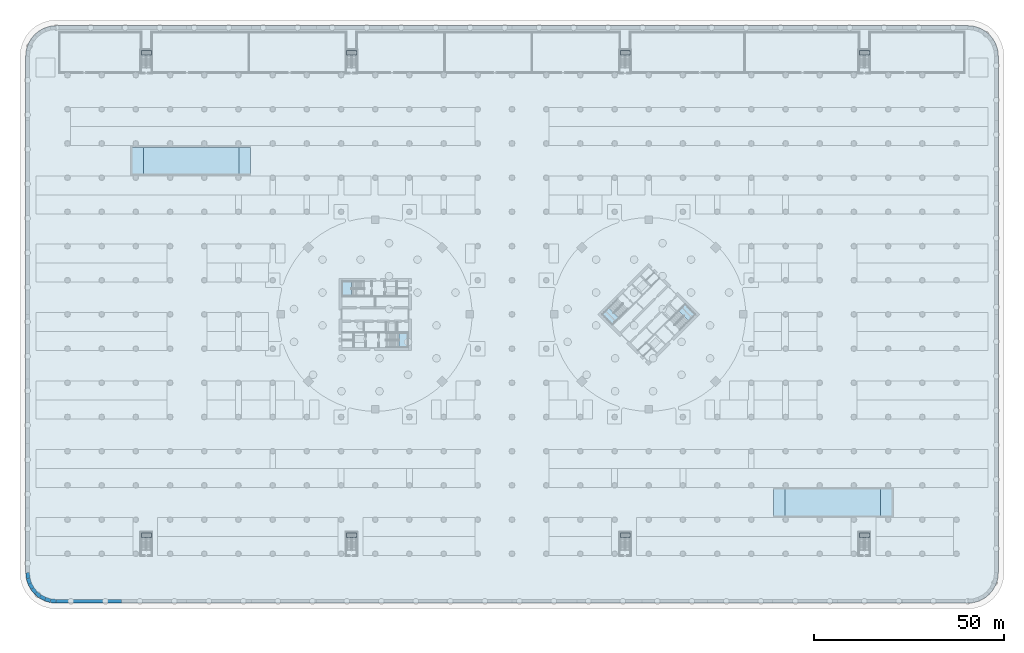
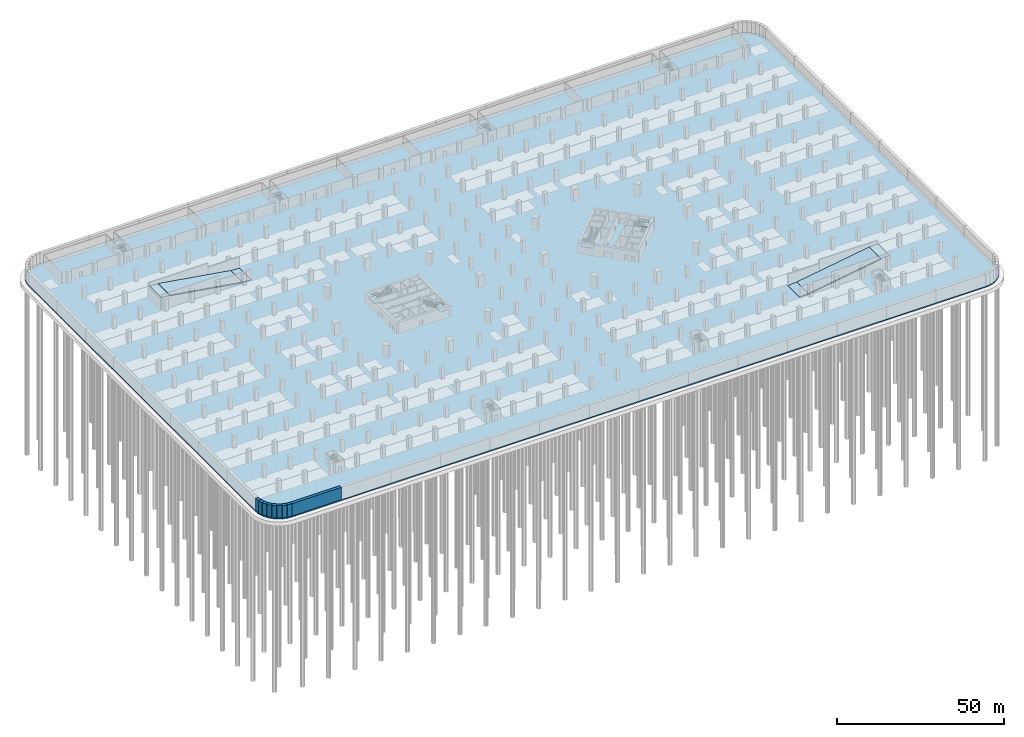
# One storey, part 11 of 39: 19 slabs, 9 walls, 12 elements without a shape of their own.
"""IFC4 building model written with IfcOpenShell, lengths in metres."""

import ifcopenshell
import ifcopenshell.guid

model = None  # the IFC model being written
_history = None  # IfcOwnerHistory: only IFC2X3 demands one
_inside = {}  # id of a spatial element -> (the spatial element, [elements in it])
_under = {}  # id of a project, library or spatial element -> (it, [spatial elements below it])
_declared = {}  # id of a project -> (the project, [libraries it declares])
_typed = {}  # id of a type object -> (the type object, [elements of that type])
_made_of = {}  # id of a material, layer set ... -> (it, [elements and type objects made of it])


def new_model(schema):
    """Start an empty IFC model of exactly this schema.

    Asked for "IFC4X3", IfcOpenShell would pick the latest addendum, in which some entities
    have other attributes; the version numbers below select the first issue.
    IFC2X3 requires an IfcOwnerHistory on every rooted entity: one is made here for all.
    """
    global model, _history
    if schema == "IFC4X3":
        model = ifcopenshell.file(schema_version=(4, 3, 0, 0))
    else:
        model = ifcopenshell.file(schema=schema)
    _inside.clear()
    _under.clear()
    _declared.clear()
    _typed.clear()
    _made_of.clear()
    _history = None
    if model.schema == "IFC2X3":
        org = make("IfcOrganization", Name="unknown")
        user = make(
            "IfcPersonAndOrganization",
            ThePerson=make("IfcPerson", FamilyName="unknown"),
            TheOrganization=org,
        )
        app = make(
            "IfcApplication",
            ApplicationDeveloper=org,
            Version="unknown",
            ApplicationFullName="unknown",
            ApplicationIdentifier="unknown",
        )
        _history = make(
            "IfcOwnerHistory",
            OwningUser=user,
            OwningApplication=app,
            ChangeAction="ADDED",
            CreationDate=0,
        )
    return model


def make(cls, **values):
    """One entity of the class cls with the attributes given. An attribute that is None is left unset."""
    return model.create_entity(
        cls, **{name: value for name, value in values.items() if value is not None}
    )


def rooted(cls, **values):
    """An entity with a GlobalId (a new one), such as an element, a storey or a relation."""
    return make(cls, GlobalId=ifcopenshell.guid.new(), OwnerHistory=_history, **values)


def si_unit(unit_type, name, prefix=None):
    """IfcSIUnit, for example si_unit("LENGTHUNIT", "METRE", prefix="MILLI")."""
    return make("IfcSIUnit", UnitType=unit_type, Prefix=prefix, Name=name)


def assignment(units):
    """IfcUnitAssignment: the units of a project."""
    return None if units is None else make("IfcUnitAssignment", Units=units)


def point(xyz):
    """IfcCartesianPoint."""
    return None if xyz is None else make("IfcCartesianPoint", Coordinates=xyz)


def direction(xyz):
    """IfcDirection."""
    return None if xyz is None else make("IfcDirection", DirectionRatios=xyz)


def frame(location, z_axis=None, x_axis=None):
    """IfcAxis2Placement3D, a coordinate frame: its origin and axes. An axis left out is left unset."""
    return make(
        "IfcAxis2Placement3D",
        Location=point(location),
        Axis=direction(z_axis),
        RefDirection=direction(x_axis),
    )


def frame_2d(location, x_axis=None):
    """IfcAxis2Placement2D, a coordinate frame in the plane: its origin and x axis."""
    return make(
        "IfcAxis2Placement2D", Location=point(location), RefDirection=direction(x_axis)
    )


def origin():
    """The frame at (0, 0, 0) with its axes left unset."""
    return frame((0.0, 0.0, 0.0))


def place(relative_to, where):
    """IfcLocalPlacement: puts the frame where relative to a parent placement (None: the world)."""
    return make(
        "IfcLocalPlacement", PlacementRelTo=relative_to, RelativePlacement=where
    )


def context(
    kind, dimensions, precision=None, world=None, true_north=None, identifier=None
):
    """IfcGeometricRepresentationContext, for example the 3D "Model" context."""
    return make(
        "IfcGeometricRepresentationContext",
        ContextIdentifier=identifier,
        ContextType=kind,
        CoordinateSpaceDimension=dimensions,
        Precision=precision,
        WorldCoordinateSystem=world,
        TrueNorth=true_north,
    )


def subcontext(parent, identifier, kind, view, scale=None):
    """IfcGeometricRepresentationSubContext, for example "Body" below "Model"."""
    return make(
        "IfcGeometricRepresentationSubContext",
        ContextIdentifier=identifier,
        ContextType=kind,
        ParentContext=parent,
        TargetScale=scale,
        TargetView=view,
    )


def project(units=None, contexts=None):
    """IfcProject with its units and contexts."""
    return rooted(
        "IfcProject",
        Name="project",
        RepresentationContexts=contexts,
        UnitsInContext=assignment(units),
    )


def spatial(cls, under=None, at=None, **own):
    """A site, building, storey or space (cls), placed at a placement, below another one or the project."""
    s = rooted(cls, ObjectPlacement=at, **own)
    if under is not None:
        _under.setdefault(under.id(), (under, []))[1].append(s)
    return s


def polyline(points):
    """IfcPolyline through the points."""
    return make("IfcPolyline", Points=[point(p) for p in points])


def profile(cls, at=None, kind="AREA", **sizes):
    """A parametric profile (cls). Its sizes go by their IFC names, for example OverallWidth=200.0."""
    return make(cls, ProfileType=kind, Position=at, **sizes)


def rectangle(**sizes):
    """IfcRectangleProfileDef."""
    return profile("IfcRectangleProfileDef", **sizes)


def outline(outer, holes=None, kind="AREA"):
    """IfcArbitraryClosedProfileDef: a profile drawn as a closed curve; with holes, ...WithVoids."""
    if holes is None:
        return make("IfcArbitraryClosedProfileDef", ProfileType=kind, OuterCurve=outer)
    return make(
        "IfcArbitraryProfileDefWithVoids",
        ProfileType=kind,
        OuterCurve=outer,
        InnerCurves=holes,
    )


def extrude(swept, where, along, depth):
    """IfcExtrudedAreaSolid: the profile swept, set in the frame where, extruded along a direction by depth."""
    return make(
        "IfcExtrudedAreaSolid",
        SweptArea=swept,
        Position=where,
        ExtrudedDirection=direction(along),
        Depth=depth,
    )


def shape(context_of_items, identifier, shape_type, items):
    """IfcShapeRepresentation: the items that make up one representation, for example the "Body"."""
    return make(
        "IfcShapeRepresentation",
        ContextOfItems=context_of_items,
        RepresentationIdentifier=identifier,
        RepresentationType=shape_type,
        Items=items,
    )


def material(Name=None, Category=None):
    """IfcMaterial."""
    return make("IfcMaterial", Name=Name, Category=Category)


def layer(
    of_material, thickness, ventilated=None, Name=None, Category=None, Priority=None
):
    """IfcMaterialLayer: one layer of a wall or slab, of a material (None: an air gap)."""
    return make(
        "IfcMaterialLayer",
        Material=of_material,
        LayerThickness=thickness,
        IsVentilated=ventilated,
        Name=Name,
        Category=Category,
        Priority=Priority,
    )


def layer_set(layers, Name=None):
    """IfcMaterialLayerSet."""
    return make("IfcMaterialLayerSet", MaterialLayers=layers, LayerSetName=Name)


def made_of(thing, what):
    """Note that an element or type object is made of a material, layer set ...; save() writes the relation."""
    if what is not None:
        _made_of.setdefault(what.id(), (what, []))[1].append(thing)
    return thing


def type_object(cls, material=None, **own):
    """A type object (cls), such as IfcWallType, which elements share."""
    return made_of(rooted(cls, **own), material)


def element(
    cls,
    number,
    at=None,
    inside=None,
    cuts=None,
    type_object=None,
    material=None,
    context=None,
    identifier="Body",
    shape_type=None,
    held_by="IfcProductDefinitionShape",
    body=None,
    shapes=None,
    **own,
):
    """One element of the class cls, such as IfcWall. Its Tag is "e" and its number.

    at: its placement. inside: the storey or other place that contains it. cuts: it is an
    opening in that element (IfcRelVoidsElement). A single representation is given by context,
    identifier, shape_type and body (its items); several are given by shapes. held_by: the class
    of the entity that holds the representations. save() writes the other relations.
    """
    e = rooted(cls, Tag="e%d" % number, ObjectPlacement=at, **own)
    if body is not None:
        shapes = [shape(context, identifier, shape_type, body)]
    if shapes is not None:
        e.Representation = make(held_by, Representations=shapes)
    if inside is not None:
        _inside.setdefault(inside.id(), (inside, []))[1].append(e)
    if cuts is not None:
        rooted(
            "IfcRelVoidsElement", RelatingBuildingElement=cuts, RelatedOpeningElement=e
        )
    if type_object is not None:
        _typed.setdefault(type_object.id(), (type_object, []))[1].append(e)
    return made_of(e, material)


def aggregate(whole, parts):
    """IfcRelAggregates: a whole, such as a stair, and the parts it consists of."""
    return rooted("IfcRelAggregates", RelatingObject=whole, RelatedObjects=parts)


def save(model, path):
    """Write the relations noted so far, then the file.

    IfcRelAggregates (storeys below a building ...), IfcRelContainedInSpatialStructure (elements
    in a storey), IfcRelDefinesByType, IfcRelAssociatesMaterial and IfcRelDeclares: one each for
    every whole, place, type object, material and project.
    """
    for whole, parts in _under.values():
        aggregate(whole, parts)
    for where, things in _inside.values():
        rooted(
            "IfcRelContainedInSpatialStructure",
            RelatedElements=things,
            RelatingStructure=where,
        )
    for kind, things in _typed.values():
        rooted("IfcRelDefinesByType", RelatedObjects=things, RelatingType=kind)
    for what, things in _made_of.values():
        rooted("IfcRelAssociatesMaterial", RelatedObjects=things, RelatingMaterial=what)
    for by, libraries in _declared.values():
        rooted("IfcRelDeclares", RelatingContext=by, RelatedDefinitions=libraries)
    model.write(path)


model = new_model("IFC4")

# Units and contexts
model_context = context("Model", 3, precision=1e-05, world=origin(), true_north=direction((0.0, 1.0)))
body_context = subcontext(model_context, "Body", "Model", "MODEL_VIEW")
ifc_project = project(units=[si_unit("LENGTHUNIT", "METRE"), si_unit("AREAUNIT", "SQUARE_METRE"), si_unit("VOLUMEUNIT", "CUBIC_METRE"), si_unit("PLANEANGLEUNIT", "RADIAN"), si_unit("MASSUNIT", "GRAM", prefix="KILO")], contexts=[model_context])

# Site, building, storey
site_placement = place(None, origin())
site = spatial("IfcSite", under=ifc_project, at=site_placement, CompositionType="ELEMENT")
building_placement = place(site_placement, origin())
building = spatial("IfcBuilding", under=site, at=building_placement, Name="Ogive Gate Towers", CompositionType="ELEMENT")
storey_placement = place(building_placement, frame((0.0, 0.0, -9.0)))
storey = spatial("IfcBuildingStorey", under=building, at=storey_placement, Name="B2", CompositionType="ELEMENT", Elevation=-9.0)

# Slab
ifc_material_1 = material(Name="Concrete C35/45", Category="concrete")
ifc_layer_1 = layer(ifc_material_1, 0.39990234375)
ifc_layer_set_1 = layer_set([ifc_layer_1], Name="Base slab 400")
slab_type_1 = type_object("IfcSlabType", Name="Base slab 400", PredefinedType="BASESLAB", material=ifc_layer_set_1)
slab_1_placement = place(storey_placement, frame((0.0, 0.0, -0.39990234375)))
element("IfcSlab", 1, at=slab_1_placement, inside=storey, type_object=slab_type_1, Name="BS/B2/SSL001", PredefinedType="BASESLAB", context=body_context, shape_type="SweptSolid", body=[
    extrude(outline(polyline([(120.0, -76.0), (121.560791015625, -75.84619140625), (123.0615234375, -75.39111328125), (124.444580078125, -74.65185546875), (125.65673828125, -73.65673828125), (126.65185546875, -72.444580078125), (127.39111328125, -71.0615234375), (127.84619140625, -69.560791015625), (128.0, -68.0), (128.0, 68.0), (127.84619140625, 69.560791015625), (127.39111328125, 71.0615234375), (126.65185546875, 72.444580078125), (125.65673828125, 73.65673828125), (124.444580078125, 74.65185546875), (123.0615234375, 75.39111328125), (121.560791015625, 75.84619140625), (120.0, 76.0), (-120.0, 76.0), (-121.560791015625, 75.84619140625), (-123.0615234375, 75.39111328125), (-124.444580078125, 74.65185546875), (-125.65673828125, 73.65673828125), (-126.65185546875, 72.444580078125), (-127.39111328125, 71.0615234375), (-127.84619140625, 69.560791015625), (-128.0, 68.0), (-128.0, -68.0), (-127.84619140625, -69.560791015625), (-127.39111328125, -71.0615234375), (-126.65185546875, -72.444580078125), (-125.65673828125, -73.65673828125), (-124.444580078125, -74.65185546875), (-123.0615234375, -75.39111328125), (-121.560791015625, -75.84619140625), (-120.0, -76.0), (120.0, -76.0)])), origin(), (0.0, 0.0, 1.0), 0.39990234375),
])

# Stair, slab
ifc_material_2 = material(Name="Reinforced concrete C32/40", Category="concrete")
stair_type_1 = type_object("IfcStairType", Name="Car park escape stair 173 x 280", PredefinedType="HALF_TURN_STAIR", material=ifc_material_2)
stair_1_placement = place(storey_placement, origin())
stair_1 = element("IfcStair", 2, at=stair_1_placement, inside=storey, type_object=stair_type_1, Name="B2 escape stair", PredefinedType="HALF_TURN_STAIR")
ifc_layer_2 = layer(ifc_material_2, 0.199951171875)
ifc_layer_set_2 = layer_set([ifc_layer_2], Name="Car park stair landing 200")
slab_type_2 = type_object("IfcSlabType", Name="Car park stair landing 200", PredefinedType="LANDING", material=ifc_layer_set_2)
slab_2_placement = place(storey_placement, frame((0.0, 0.0, 2.050048828125)))
slab_2 = element("IfcSlab", 3, at=slab_2_placement, type_object=slab_type_2, Name="CS1 landing 1", PredefinedType="LANDING", context=body_context, shape_type="SweptSolid", body=[
    extrude(outline(polyline([(-94.949951171875, 68.260009765625), (-94.949951171875, 69.4599609375), (-97.5, 69.4599609375), (-97.5, 68.260009765625), (-94.949951171875, 68.260009765625)])), origin(), (0.0, 0.0, 1.0), 0.199951171875),
])
aggregate(stair_1, [slab_2])

stair_2_placement = place(storey_placement, origin())
stair_2 = element("IfcStair", 4, at=stair_2_placement, inside=storey, type_object=stair_type_1, Name="B2 escape stair", PredefinedType="HALF_TURN_STAIR")
slab_3_placement = place(storey_placement, frame((0.0, 0.0, 2.050048828125)))
slab_3 = element("IfcSlab", 5, at=slab_3_placement, type_object=slab_type_2, Name="CS2 landing 1", PredefinedType="LANDING", context=body_context, shape_type="SweptSolid", body=[
    extrude(outline(polyline([(-40.949951171875, 68.260009765625), (-40.949951171875, 69.4599609375), (-43.5, 69.4599609375), (-43.5, 68.260009765625), (-40.949951171875, 68.260009765625)])), origin(), (0.0, 0.0, 1.0), 0.199951171875),
])
aggregate(stair_2, [slab_3])

stair_3_placement = place(storey_placement, origin())
stair_3 = element("IfcStair", 6, at=stair_3_placement, inside=storey, type_object=stair_type_1, Name="B2 escape stair", PredefinedType="HALF_TURN_STAIR")
slab_4_placement = place(storey_placement, frame((0.0, 0.0, 2.050048828125)))
slab_4 = element("IfcSlab", 7, at=slab_4_placement, type_object=slab_type_2, Name="CS3 landing 1", PredefinedType="LANDING", context=body_context, shape_type="SweptSolid", body=[
    extrude(outline(polyline([(31.050048828125, 68.260009765625), (31.050048828125, 69.4599609375), (28.5, 69.4599609375), (28.5, 68.260009765625), (31.050048828125, 68.260009765625)])), origin(), (0.0, 0.0, 1.0), 0.199951171875),
])
aggregate(stair_3, [slab_4])

stair_4_placement = place(storey_placement, origin())
stair_4 = element("IfcStair", 8, at=stair_4_placement, inside=storey, type_object=stair_type_1, Name="B2 escape stair", PredefinedType="HALF_TURN_STAIR")
slab_5_placement = place(storey_placement, frame((0.0, 0.0, 2.050048828125)))
slab_5 = element("IfcSlab", 9, at=slab_5_placement, type_object=slab_type_2, Name="CS4 landing 1", PredefinedType="LANDING", context=body_context, shape_type="SweptSolid", body=[
    extrude(outline(polyline([(94.050048828125, 68.260009765625), (94.050048828125, 69.4599609375), (91.5, 69.4599609375), (91.5, 68.260009765625), (94.050048828125, 68.260009765625)])), origin(), (0.0, 0.0, 1.0), 0.199951171875),
])
aggregate(stair_4, [slab_5])

stair_5_placement = place(storey_placement, origin())
stair_5 = element("IfcStair", 10, at=stair_5_placement, inside=storey, type_object=stair_type_1, Name="B2 escape stair", PredefinedType="HALF_TURN_STAIR")
slab_6_placement = place(storey_placement, frame((0.0, 0.0, 2.050048828125)))
slab_6 = element("IfcSlab", 11, at=slab_6_placement, type_object=slab_type_2, Name="CS5 landing 1", PredefinedType="LANDING", context=body_context, shape_type="SweptSolid", body=[
    extrude(outline(polyline([(-94.949951171875, -58.739990234375), (-94.949951171875, -57.5400390625), (-97.5, -57.5400390625), (-97.5, -58.739990234375), (-94.949951171875, -58.739990234375)])), origin(), (0.0, 0.0, 1.0), 0.199951171875),
])
aggregate(stair_5, [slab_6])

stair_6_placement = place(storey_placement, origin())
stair_6 = element("IfcStair", 12, at=stair_6_placement, inside=storey, type_object=stair_type_1, Name="B2 escape stair", PredefinedType="HALF_TURN_STAIR")
slab_7_placement = place(storey_placement, frame((0.0, 0.0, 2.050048828125)))
slab_7 = element("IfcSlab", 13, at=slab_7_placement, type_object=slab_type_2, Name="CS6 landing 1", PredefinedType="LANDING", context=body_context, shape_type="SweptSolid", body=[
    extrude(outline(polyline([(-40.949951171875, -58.739990234375), (-40.949951171875, -57.5400390625), (-43.5, -57.5400390625), (-43.5, -58.739990234375), (-40.949951171875, -58.739990234375)])), origin(), (0.0, 0.0, 1.0), 0.199951171875),
])
aggregate(stair_6, [slab_7])

stair_7_placement = place(storey_placement, origin())
stair_7 = element("IfcStair", 14, at=stair_7_placement, inside=storey, type_object=stair_type_1, Name="B2 escape stair", PredefinedType="HALF_TURN_STAIR")
slab_8_placement = place(storey_placement, frame((0.0, 0.0, 2.050048828125)))
slab_8 = element("IfcSlab", 15, at=slab_8_placement, type_object=slab_type_2, Name="CS7 landing 1", PredefinedType="LANDING", context=body_context, shape_type="SweptSolid", body=[
    extrude(outline(polyline([(31.050048828125, -58.739990234375), (31.050048828125, -57.5400390625), (28.5, -57.5400390625), (28.5, -58.739990234375), (31.050048828125, -58.739990234375)])), origin(), (0.0, 0.0, 1.0), 0.199951171875),
])
aggregate(stair_7, [slab_8])

stair_8_placement = place(storey_placement, origin())
stair_8 = element("IfcStair", 16, at=stair_8_placement, inside=storey, type_object=stair_type_1, Name="B2 escape stair", PredefinedType="HALF_TURN_STAIR")
slab_9_placement = place(storey_placement, frame((0.0, 0.0, 2.050048828125)))
slab_9 = element("IfcSlab", 17, at=slab_9_placement, type_object=slab_type_2, Name="CS8 landing 1", PredefinedType="LANDING", context=body_context, shape_type="SweptSolid", body=[
    extrude(outline(polyline([(94.050048828125, -58.739990234375), (94.050048828125, -57.5400390625), (91.5, -57.5400390625), (91.5, -58.739990234375), (94.050048828125, -58.739990234375)])), origin(), (0.0, 0.0, 1.0), 0.199951171875),
])
aggregate(stair_8, [slab_9])

ifc_material_3 = material(Name="Concrete C40/50", Category="concrete")
stair_type_2 = type_object("IfcStairType", Name="Escape stair 1840 wide", PredefinedType="HALF_TURN_STAIR", material=ifc_material_3)
stair_9_placement = place(storey_placement, origin())
stair_9 = element("IfcStair", 18, at=stair_9_placement, inside=storey, type_object=stair_type_2, Name="B2 Escape stair 1", PredefinedType="HALF_TURN_STAIR")
ifc_layer_3 = layer(ifc_material_3, 0.199951171875)
ifc_layer_set_3 = layer_set([ifc_layer_3], Name="Stair landing 200 mm")
slab_type_3 = type_object("IfcSlabType", Name="Stair landing 200 mm", PredefinedType="LANDING", material=ifc_layer_set_3)
slab_10_placement = place(storey_placement, frame((0.0, 0.0, 2.050048828125)))
slab_10 = element("IfcSlab", 19, at=slab_10_placement, type_object=slab_type_3, Name="ST1 landing 1", PredefinedType="LANDING", context=body_context, shape_type="SweptSolid", body=[
    extrude(outline(polyline([(-42.22509765625, 8.699951171875), (-44.699951171875, 8.699951171875), (-44.699951171875, 4.875), (-42.22509765625, 4.875), (-42.22509765625, 8.699951171875)])), origin(), (0.0, 0.0, 1.0), 0.199951171875),
])
aggregate(stair_9, [slab_10])

stair_10_placement = place(storey_placement, origin())
stair_10 = element("IfcStair", 20, at=stair_10_placement, inside=storey, type_object=stair_type_2, Name="B2 Escape stair 2", PredefinedType="HALF_TURN_STAIR")
slab_11_placement = place(storey_placement, frame((0.0, 0.0, 2.050048828125)))
slab_11 = element("IfcSlab", 21, at=slab_11_placement, type_object=slab_type_3, Name="ST2 landing 1", PredefinedType="LANDING", context=body_context, shape_type="SweptSolid", body=[
    extrude(outline(polyline([(-29.77490234375, -8.699951171875), (-27.300048828125, -8.699951171875), (-27.300048828125, -4.875), (-29.77490234375, -4.875), (-29.77490234375, -8.699951171875)])), origin(), (0.0, 0.0, 1.0), 0.199951171875),
])
aggregate(stair_10, [slab_11])

stair_11_placement = place(storey_placement, origin())
stair_11 = element("IfcStair", 22, at=stair_11_placement, inside=storey, type_object=stair_type_2, Name="B2 Escape stair 1", PredefinedType="HALF_TURN_STAIR")
slab_12_placement = place(storey_placement, frame((0.0, 0.0, 2.050048828125)))
slab_12 = element("IfcSlab", 23, at=slab_12_placement, type_object=slab_type_3, Name="ST1 landing 1", PredefinedType="LANDING", context=body_context, shape_type="SweptSolid", body=[
    extrude(outline(polyline([(25.446533203125, 1.75), (23.6962890625, 0.0), (26.401123046875, -2.70458984375), (28.151123046875, -0.95458984375), (25.446533203125, 1.75)])), origin(), (0.0, 0.0, 1.0), 0.199951171875),
])
aggregate(stair_11, [slab_12])

stair_12_placement = place(storey_placement, origin())
stair_12 = element("IfcStair", 24, at=stair_12_placement, inside=storey, type_object=stair_type_2, Name="B2 Escape stair 2", PredefinedType="HALF_TURN_STAIR")
slab_13_placement = place(storey_placement, frame((0.0, 0.0, 2.050048828125)))
slab_13 = element("IfcSlab", 25, at=slab_13_placement, type_object=slab_type_3, Name="ST2 landing 1", PredefinedType="LANDING", context=body_context, shape_type="SweptSolid", body=[
    extrude(outline(polyline([(46.553466796875, -1.75), (48.3037109375, 0.0), (45.598876953125, 2.70458984375), (43.848876953125, 0.95458984375), (46.553466796875, -1.75)])), origin(), (0.0, 0.0, 1.0), 0.199951171875),
])
aggregate(stair_12, [slab_13])

# Slabs
ifc_material_4 = material(Name="Concrete C32/40", Category="concrete")
ifc_layer_4 = layer(ifc_material_4, 0.300048828125)
ifc_layer_set_4 = layer_set([ifc_layer_4], Name="Vehicle ramp slab C32/40 300 mm")
slab_type_4 = type_object("IfcSlabType", Name="Vehicle ramp slab C32/40 300 mm", PredefinedType="FLOOR", material=ifc_layer_set_4)
slab_14_placement = place(storey_placement, frame((-100.0, 40.5, 0.0), z_axis=(0.0, 0.0, 1.0), x_axis=(1.0, 0.0, 0.0)))
element("IfcSlab", 26, at=slab_14_placement, inside=storey, type_object=slab_type_4, Name="Basement car ramp west slab 1", PredefinedType="FLOOR", context=body_context, shape_type="SweptSolid", body=[
    extrude(outline(polyline([(0.0, 4.199951171875), (3.0, 3.9599609375), (3.0, 4.260009765625), (0.0, 4.5), (0.0, 4.199951171875)])), frame((0.0, 3.5, 0.0), z_axis=(0.0, -1.0, 0.0), x_axis=(1.0, 0.0, 0.0)), (0.0, 0.0, 1.0), 7.0),
])
slab_15_placement = place(storey_placement, frame((-97.0, 40.5, 0.0), z_axis=(0.0, 0.0, 1.0), x_axis=(1.0, 0.0, 0.0)))
element("IfcSlab", 27, at=slab_15_placement, inside=storey, type_object=slab_type_4, Name="Basement car ramp west slab 2", PredefinedType="FLOOR", context=body_context, shape_type="SweptSolid", body=[
    extrude(outline(polyline([(0.0, 3.9599609375), (24.75, 0.0), (25.125, 0.0), (25.125, 0.239990234375), (0.0, 4.260009765625), (0.0, 3.9599609375)])), frame((0.0, 3.5, 0.0), z_axis=(0.0, -1.0, 0.0), x_axis=(1.0, 0.0, 0.0)), (0.0, 0.0, 1.0), 7.0),
])
slab_16_placement = place(storey_placement, frame((97.0, -49.5, 0.0), z_axis=(0.0, 0.0, 1.0), x_axis=(1.0, 0.0, 0.0)))
element("IfcSlab", 28, at=slab_16_placement, inside=storey, type_object=slab_type_4, Name="Basement car ramp east slab 1", PredefinedType="FLOOR", context=body_context, shape_type="SweptSolid", body=[
    extrude(outline(polyline([(0.0, 3.9599609375), (3.0, 4.199951171875), (3.0, 4.5), (0.0, 4.260009765625), (0.0, 3.9599609375)])), frame((0.0, 3.5, 0.0), z_axis=(0.0, -1.0, 0.0), x_axis=(1.0, 0.0, 0.0)), (0.0, 0.0, 1.0), 7.0),
])
slab_17_placement = place(storey_placement, frame((71.875, -49.5, 0.0), z_axis=(0.0, 0.0, 1.0), x_axis=(1.0, 0.0, 0.0)))
element("IfcSlab", 29, at=slab_17_placement, inside=storey, type_object=slab_type_4, Name="Basement car ramp east slab 2", PredefinedType="FLOOR", context=body_context, shape_type="SweptSolid", body=[
    extrude(outline(polyline([(0.0, 0.0), (0.375, 0.0), (25.125, 3.9599609375), (25.125, 4.260009765625), (0.0, 0.239990234375), (0.0, 0.0)])), frame((0.0, 3.5, 0.0), z_axis=(0.0, -1.0, 0.0), x_axis=(1.0, 0.0, 0.0)), (0.0, 0.0, 1.0), 7.0),
])
ifc_layer_5 = layer(ifc_material_4, 0.239990234375)
ifc_layer_set_5 = layer_set([ifc_layer_5], Name="Vehicle ramp toe slab C32/40 240 mm")
slab_type_5 = type_object("IfcSlabType", Name="Vehicle ramp toe slab C32/40 240 mm", PredefinedType="FLOOR", material=ifc_layer_set_5)
slab_18_placement = place(storey_placement, frame((-71.875, 40.5, 0.0), z_axis=(0.0, 0.0, 1.0), x_axis=(1.0, 0.0, 0.0)))
element("IfcSlab", 30, at=slab_18_placement, inside=storey, type_object=slab_type_5, Name="Basement car ramp west slab 3", PredefinedType="FLOOR", context=body_context, shape_type="SweptSolid", body=[
    extrude(outline(polyline([(0.0, 0.0), (3.0, 0.0), (3.0, 0.0), (0.0, 0.239990234375), (0.0, 0.0)])), frame((0.0, 3.5, 0.0), z_axis=(0.0, -1.0, 0.0), x_axis=(1.0, 0.0, 0.0)), (0.0, 0.0, 1.0), 7.0),
])
slab_19_placement = place(storey_placement, frame((68.875, -49.5, 0.0), z_axis=(0.0, 0.0, 1.0), x_axis=(1.0, 0.0, 0.0)))
element("IfcSlab", 31, at=slab_19_placement, inside=storey, type_object=slab_type_5, Name="Basement car ramp east slab 3", PredefinedType="FLOOR", context=body_context, shape_type="SweptSolid", body=[
    extrude(outline(polyline([(0.0, 0.0), (3.0, 0.0), (3.0, 0.239990234375), (0.0, 0.0), (0.0, 0.0)])), frame((0.0, 3.5, 0.0), z_axis=(0.0, -1.0, 0.0), x_axis=(1.0, 0.0, 0.0)), (0.0, 0.0, 1.0), 7.0),
])

# Walls
ifc_layer_6 = layer(ifc_material_3, 1.0)
ifc_layer_set_6 = layer_set([ifc_layer_6], Name="Retaining wall 1000")
wall_type = type_object("IfcWallType", Name="Retaining wall 1000", PredefinedType="SOLIDWALL", material=ifc_layer_set_6)
wall_1_placement = place(storey_placement, frame((-102.836181640625, -75.5, 0.0), z_axis=(0.0, 0.0, 1.0), x_axis=(-1.0, 0.0, 0.0)))
element("IfcWall", 32, at=wall_1_placement, inside=storey, type_object=wall_type, Name="BS/B2/SWL014", PredefinedType="SOLIDWALL", context=body_context, shape_type="SweptSolid", body=[
    extrude(rectangle(XDim=17.13916015625, YDim=1.0, at=frame_2d((8.569580078125, 0.0))), origin(), (0.0, 0.0, 1.0), 4.5),
])
wall_2_placement = place(storey_placement, frame((-119.975341796875, -75.5, 0.0), z_axis=(0.0, 0.0, 1.0), x_axis=(-0.995184880112, 0.098015582414, 0.0)))
element("IfcWall", 33, at=wall_2_placement, inside=storey, type_object=wall_type, Name="BS/B2/SWL015", PredefinedType="SOLIDWALL", context=body_context, shape_type="SweptSolid", body=[
    extrude(rectangle(XDim=1.494384765625, YDim=1.0, at=frame_2d((0.7470703125, 0.0))), origin(), (0.0, 0.0, 1.0), 4.5),
])
for number, where, z_axis, x_axis, name in (
    (34, (-121.462646484375, -75.353515625, 0.0), (0.0, 0.0, 1.0), (-0.956920965645, 0.290348524206, 0.0), "BS/B2/SWL016"),
    (35, (-122.869140625, -74.9267578125, 0.0), (0.0, 0.0, 1.0), (-0.882007853381, 0.471234704339, 0.0), "BS/B2/SWL017"),
    (36, (-124.16552734375, -74.234130859375, 0.0), (0.0, 0.0, 1.0), (-0.772897900132, 0.634530405868, 0.0), "BS/B2/SWL018"),
    (37, (-125.301513671875, -73.301513671875, 0.0), (0.0, 0.0, 1.0), (-0.634530405868, 0.772897900132, 0.0), "BS/B2/SWL019"),
    (38, (-126.234130859375, -72.16552734375, 0.0), (0.0, 0.0, 1.0), (-0.471234704339, 0.882007853381, 0.0), "BS/B2/SWL020"),
    (39, (-126.9267578125, -70.869140625, 0.0), (0.0, 0.0, 1.0), (-0.290348524206, 0.956920965645, 0.0), "BS/B2/SWL021"),
):
    element("IfcWall", number, at=place(storey_placement, frame(where, z_axis=z_axis, x_axis=x_axis)), inside=storey, type_object=wall_type, Name=name, PredefinedType="SOLIDWALL", context=body_context, shape_type="SweptSolid", body=[
        extrude(rectangle(XDim=1.4697265625, YDim=1.0, at=frame_2d((0.73486328125, 0.0))), origin(), (0.0, 0.0, 1.0), 4.5),
    ])
wall_3_placement = place(storey_placement, frame((-127.353515625, -69.462646484375, 0.0), z_axis=(0.0, 0.0, 1.0), x_axis=(-0.098015582414, 0.995184880112, 0.0)))
element("IfcWall", 40, at=wall_3_placement, inside=storey, type_object=wall_type, Name="BS/B2/SWL022", PredefinedType="SOLIDWALL", context=body_context, shape_type="SweptSolid", body=[
    extrude(rectangle(XDim=1.494384765625, YDim=1.0, at=frame_2d((0.7470703125, 0.0))), origin(), (0.0, 0.0, 1.0), 4.5),
])

save(model, "model.ifc")
